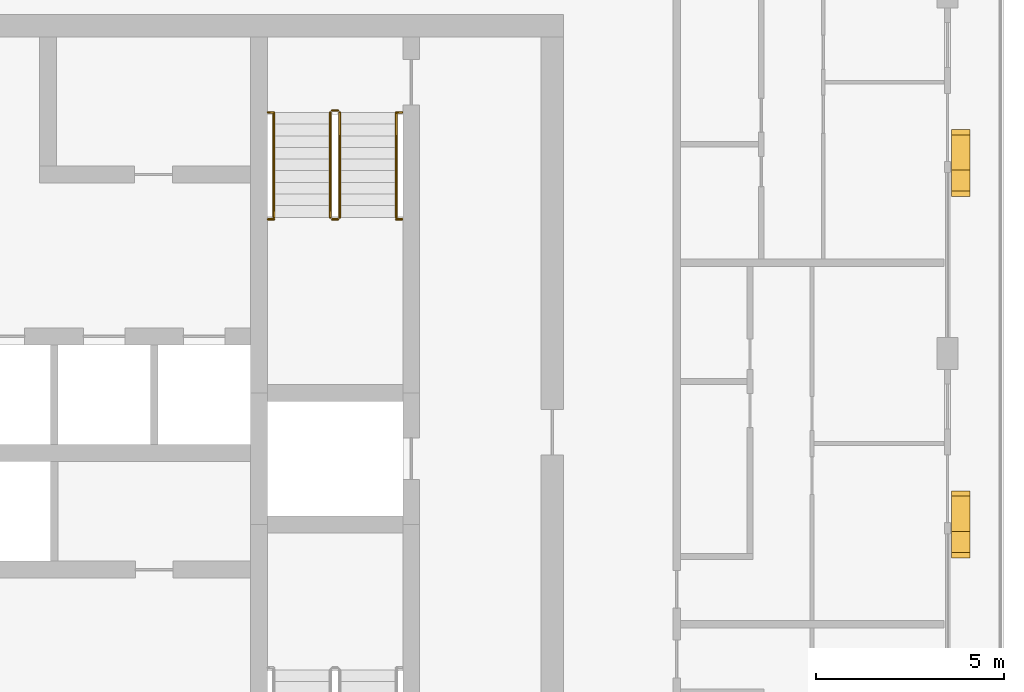
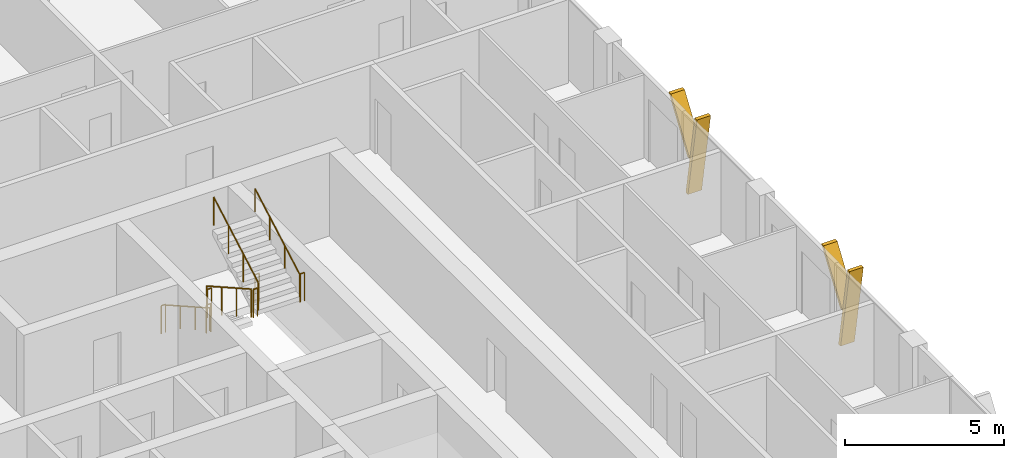
# One storey, part 20 of 21: 10 railings, 4 shading devices.
"""IFC4 building model written with IfcOpenShell, lengths in metres."""

import ifcopenshell
import ifcopenshell.guid

model = None  # the IFC model being written
_history = None  # IfcOwnerHistory: only IFC2X3 demands one
_inside = {}  # id of a spatial element -> (the spatial element, [elements in it])
_under = {}  # id of a project, library or spatial element -> (it, [spatial elements below it])
_declared = {}  # id of a project -> (the project, [libraries it declares])
_typed = {}  # id of a type object -> (the type object, [elements of that type])
_made_of = {}  # id of a material, layer set ... -> (it, [elements and type objects made of it])


def new_model(schema):
    """Start an empty IFC model of exactly this schema.

    Asked for "IFC4X3", IfcOpenShell would pick the latest addendum, in which some entities
    have other attributes; the version numbers below select the first issue.
    IFC2X3 requires an IfcOwnerHistory on every rooted entity: one is made here for all.
    """
    global model, _history
    if schema == "IFC4X3":
        model = ifcopenshell.file(schema_version=(4, 3, 0, 0))
    else:
        model = ifcopenshell.file(schema=schema)
    _inside.clear()
    _under.clear()
    _declared.clear()
    _typed.clear()
    _made_of.clear()
    _history = None
    if model.schema == "IFC2X3":
        org = make("IfcOrganization", Name="unknown")
        user = make(
            "IfcPersonAndOrganization",
            ThePerson=make("IfcPerson", FamilyName="unknown"),
            TheOrganization=org,
        )
        app = make(
            "IfcApplication",
            ApplicationDeveloper=org,
            Version="unknown",
            ApplicationFullName="unknown",
            ApplicationIdentifier="unknown",
        )
        _history = make(
            "IfcOwnerHistory",
            OwningUser=user,
            OwningApplication=app,
            ChangeAction="ADDED",
            CreationDate=0,
        )
    return model


def make(cls, **values):
    """One entity of the class cls with the attributes given. An attribute that is None is left unset."""
    return model.create_entity(
        cls, **{name: value for name, value in values.items() if value is not None}
    )


def rooted(cls, **values):
    """An entity with a GlobalId (a new one), such as an element, a storey or a relation."""
    return make(cls, GlobalId=ifcopenshell.guid.new(), OwnerHistory=_history, **values)


def si_unit(unit_type, name, prefix=None):
    """IfcSIUnit, for example si_unit("LENGTHUNIT", "METRE", prefix="MILLI")."""
    return make("IfcSIUnit", UnitType=unit_type, Prefix=prefix, Name=name)


def assignment(units):
    """IfcUnitAssignment: the units of a project."""
    return None if units is None else make("IfcUnitAssignment", Units=units)


def point(xyz):
    """IfcCartesianPoint."""
    return None if xyz is None else make("IfcCartesianPoint", Coordinates=xyz)


def direction(xyz):
    """IfcDirection."""
    return None if xyz is None else make("IfcDirection", DirectionRatios=xyz)


def frame(location, z_axis=None, x_axis=None):
    """IfcAxis2Placement3D, a coordinate frame: its origin and axes. An axis left out is left unset."""
    return make(
        "IfcAxis2Placement3D",
        Location=point(location),
        Axis=direction(z_axis),
        RefDirection=direction(x_axis),
    )


def frame_2d(location, x_axis=None):
    """IfcAxis2Placement2D, a coordinate frame in the plane: its origin and x axis."""
    return make(
        "IfcAxis2Placement2D", Location=point(location), RefDirection=direction(x_axis)
    )


def origin():
    """The frame at (0, 0, 0) with its axes left unset."""
    return frame((0.0, 0.0, 0.0))


def origin_2d():
    """The frame at (0, 0) in the plane with its x axis left unset."""
    return frame_2d((0.0, 0.0))


def place(relative_to, where):
    """IfcLocalPlacement: puts the frame where relative to a parent placement (None: the world)."""
    return make(
        "IfcLocalPlacement", PlacementRelTo=relative_to, RelativePlacement=where
    )


def context(
    kind, dimensions, precision=None, world=None, true_north=None, identifier=None
):
    """IfcGeometricRepresentationContext, for example the 3D "Model" context."""
    return make(
        "IfcGeometricRepresentationContext",
        ContextIdentifier=identifier,
        ContextType=kind,
        CoordinateSpaceDimension=dimensions,
        Precision=precision,
        WorldCoordinateSystem=world,
        TrueNorth=true_north,
    )


def subcontext(parent, identifier, kind, view, scale=None):
    """IfcGeometricRepresentationSubContext, for example "Body" below "Model"."""
    return make(
        "IfcGeometricRepresentationSubContext",
        ContextIdentifier=identifier,
        ContextType=kind,
        ParentContext=parent,
        TargetScale=scale,
        TargetView=view,
    )


def project(units=None, contexts=None):
    """IfcProject with its units and contexts."""
    return rooted(
        "IfcProject",
        Name="project",
        RepresentationContexts=contexts,
        UnitsInContext=assignment(units),
    )


def spatial(cls, under=None, at=None, **own):
    """A site, building, storey or space (cls), placed at a placement, below another one or the project."""
    s = rooted(cls, ObjectPlacement=at, **own)
    if under is not None:
        _under.setdefault(under.id(), (under, []))[1].append(s)
    return s


def polyline(points):
    """IfcPolyline through the points."""
    return make("IfcPolyline", Points=[point(p) for p in points])


def profile(cls, at=None, kind="AREA", **sizes):
    """A parametric profile (cls). Its sizes go by their IFC names, for example OverallWidth=200.0."""
    return make(cls, ProfileType=kind, Position=at, **sizes)


def circle(**sizes):
    """IfcCircleProfileDef."""
    return profile("IfcCircleProfileDef", **sizes)


def outline(outer, holes=None, kind="AREA"):
    """IfcArbitraryClosedProfileDef: a profile drawn as a closed curve; with holes, ...WithVoids."""
    if holes is None:
        return make("IfcArbitraryClosedProfileDef", ProfileType=kind, OuterCurve=outer)
    return make(
        "IfcArbitraryProfileDefWithVoids",
        ProfileType=kind,
        OuterCurve=outer,
        InnerCurves=holes,
    )


def extrude(swept, where, along, depth):
    """IfcExtrudedAreaSolid: the profile swept, set in the frame where, extruded along a direction by depth."""
    return make(
        "IfcExtrudedAreaSolid",
        SweptArea=swept,
        Position=where,
        ExtrudedDirection=direction(along),
        Depth=depth,
    )


def shape(context_of_items, identifier, shape_type, items):
    """IfcShapeRepresentation: the items that make up one representation, for example the "Body"."""
    return make(
        "IfcShapeRepresentation",
        ContextOfItems=context_of_items,
        RepresentationIdentifier=identifier,
        RepresentationType=shape_type,
        Items=items,
    )


def material(Name=None, Category=None):
    """IfcMaterial."""
    return make("IfcMaterial", Name=Name, Category=Category)


def made_of(thing, what):
    """Note that an element or type object is made of a material, layer set ...; save() writes the relation."""
    if what is not None:
        _made_of.setdefault(what.id(), (what, []))[1].append(thing)
    return thing


def type_object(cls, material=None, **own):
    """A type object (cls), such as IfcWallType, which elements share."""
    return made_of(rooted(cls, **own), material)


def element(
    cls,
    number,
    at=None,
    inside=None,
    cuts=None,
    type_object=None,
    material=None,
    context=None,
    identifier="Body",
    shape_type=None,
    held_by="IfcProductDefinitionShape",
    body=None,
    shapes=None,
    **own,
):
    """One element of the class cls, such as IfcWall. Its Tag is "e" and its number.

    at: its placement. inside: the storey or other place that contains it. cuts: it is an
    opening in that element (IfcRelVoidsElement). A single representation is given by context,
    identifier, shape_type and body (its items); several are given by shapes. held_by: the class
    of the entity that holds the representations. save() writes the other relations.
    """
    e = rooted(cls, Tag="e%d" % number, ObjectPlacement=at, **own)
    if body is not None:
        shapes = [shape(context, identifier, shape_type, body)]
    if shapes is not None:
        e.Representation = make(held_by, Representations=shapes)
    if inside is not None:
        _inside.setdefault(inside.id(), (inside, []))[1].append(e)
    if cuts is not None:
        rooted(
            "IfcRelVoidsElement", RelatingBuildingElement=cuts, RelatedOpeningElement=e
        )
    if type_object is not None:
        _typed.setdefault(type_object.id(), (type_object, []))[1].append(e)
    return made_of(e, material)


def aggregate(whole, parts):
    """IfcRelAggregates: a whole, such as a stair, and the parts it consists of."""
    return rooted("IfcRelAggregates", RelatingObject=whole, RelatedObjects=parts)


def save(model, path):
    """Write the relations noted so far, then the file.

    IfcRelAggregates (storeys below a building ...), IfcRelContainedInSpatialStructure (elements
    in a storey), IfcRelDefinesByType, IfcRelAssociatesMaterial and IfcRelDeclares: one each for
    every whole, place, type object, material and project.
    """
    for whole, parts in _under.values():
        aggregate(whole, parts)
    for where, things in _inside.values():
        rooted(
            "IfcRelContainedInSpatialStructure",
            RelatedElements=things,
            RelatingStructure=where,
        )
    for kind, things in _typed.values():
        rooted("IfcRelDefinesByType", RelatedObjects=things, RelatingType=kind)
    for what, things in _made_of.values():
        rooted("IfcRelAssociatesMaterial", RelatedObjects=things, RelatingMaterial=what)
    for by, libraries in _declared.values():
        rooted("IfcRelDeclares", RelatingContext=by, RelatedDefinitions=libraries)
    model.write(path)


model = new_model("IFC4")

# Units and contexts
model_context = context("Model", 3, precision=1e-05, world=origin(), true_north=direction((0.0, 1.0)))
body_context = subcontext(model_context, "Body", "Model", "MODEL_VIEW")
ifc_project = project(units=[si_unit("LENGTHUNIT", "METRE"), si_unit("AREAUNIT", "SQUARE_METRE"), si_unit("VOLUMEUNIT", "CUBIC_METRE"), si_unit("PLANEANGLEUNIT", "RADIAN"), si_unit("MASSUNIT", "GRAM", prefix="KILO")], contexts=[model_context])

# Site, building, storey
site_placement = place(None, origin())
site = spatial("IfcSite", under=ifc_project, at=site_placement, CompositionType="ELEMENT")
building_placement = place(site_placement, origin())
building = spatial("IfcBuilding", under=site, at=building_placement, Name="Madar Terraces", CompositionType="ELEMENT")
storey_placement = place(building_placement, frame((0.0, 0.0, 252.699951171875)))
storey = spatial("IfcBuildingStorey", under=building, at=storey_placement, Name="L66", CompositionType="ELEMENT", Elevation=252.699951171875)

# Shading devices
ifc_material_1 = material(Name="Aluminium, black anodised", Category="aluminium")
shading_device_type = type_object("IfcShadingDeviceType", Name="Facade fin blade 140 x 500", PredefinedType="USERDEFINED", material=ifc_material_1)
shading_device_1_placement = place(storey_placement, frame((57.949951171875, 23.929931640625, 0.0), z_axis=(0.0, 0.0, 1.0), x_axis=(0.0, 1.0, 0.0)))
element("IfcShadingDevice", 1, at=shading_device_1_placement, inside=storey, type_object=shading_device_type, Name="FIN L66 E2", ObjectType="FIN", PredefinedType="USERDEFINED", context=body_context, shape_type="SweptSolid", body=[
    extrude(outline(polyline([(0.0, 0.0), (0.14013671875, 0.0), (-0.42431640625, 3.199951171875), (-0.564208984375, 3.199951171875), (0.0, 0.0)])), frame((0.0, 0.25, 0.0), z_axis=(0.0, -1.0, 0.0), x_axis=(1.0, 0.0, 0.0)), (0.0, 0.0, 1.0), 0.5),
])
shading_device_2_placement = place(storey_placement, frame((57.949951171875, 23.816162109375, 1.43994140625), z_axis=(0.0, 0.0, 1.0), x_axis=(0.0, 1.0, 0.0)))
element("IfcShadingDevice", 2, at=shading_device_2_placement, inside=storey, type_object=shading_device_type, Name="FIN L66 E2 branch", ObjectType="FIN", PredefinedType="USERDEFINED", context=body_context, shape_type="SweptSolid", body=[
    extrude(outline(polyline([(0.0, 0.0), (0.139892578125, 0.0), (1.32958984375, 1.760009765625), (1.189697265625, 1.760009765625), (0.0, 0.0)])), frame((0.0, 0.25, 0.0), z_axis=(0.0, -1.0, 0.0), x_axis=(1.0, 0.0, 0.0)), (0.0, 0.0, 1.0), 0.5),
])
shading_device_3_placement = place(storey_placement, frame((57.949951171875, 33.530029296875, 0.0), z_axis=(0.0, 0.0, 1.0), x_axis=(0.0, 1.0, 0.0)))
element("IfcShadingDevice", 3, at=shading_device_3_placement, inside=storey, type_object=shading_device_type, Name="FIN L66 E3", ObjectType="FIN", PredefinedType="USERDEFINED", context=body_context, shape_type="SweptSolid", body=[
    extrude(outline(polyline([(0.0, 0.0), (0.139892578125, 0.0), (-0.42431640625, 3.199951171875), (-0.564208984375, 3.199951171875), (0.0, 0.0)])), frame((0.0, 0.25, 0.0), z_axis=(0.0, -1.0, 0.0), x_axis=(1.0, 0.0, 0.0)), (0.0, 0.0, 1.0), 0.5),
])
shading_device_4_placement = place(storey_placement, frame((57.949951171875, 33.416015625, 1.43994140625), z_axis=(0.0, 0.0, 1.0), x_axis=(0.0, 1.0, 0.0)))
element("IfcShadingDevice", 4, at=shading_device_4_placement, inside=storey, type_object=shading_device_type, Name="FIN L66 E3 branch", ObjectType="FIN", PredefinedType="USERDEFINED", context=body_context, shape_type="SweptSolid", body=[
    extrude(outline(polyline([(0.0, 0.0), (0.14013671875, 0.0), (1.32958984375, 1.760009765625), (1.189697265625, 1.760009765625), (0.0, 0.0)])), frame((0.0, 0.25, 0.0), z_axis=(0.0, -1.0, 0.0), x_axis=(1.0, 0.0, 0.0)), (0.0, 0.0, 1.0), 0.5),
])

# Railings
ifc_material_2 = material(Name="Stainless steel railing", Category="steel")
railing_type_1 = type_object("IfcRailingType", Name="Stair guard 1100", PredefinedType="GUARDRAIL", material=ifc_material_2)
railing_1_placement = place(storey_placement, frame((41.199951171875, 35.199951171875, 0.175048828125)))
element("IfcRailing", 5, at=railing_1_placement, inside=storey, type_object=railing_type_1, Name="L66 ST2 stair guard 1", PredefinedType="GUARDRAIL", context=body_context, shape_type="SweptSolid", body=[
    extrude(circle(Radius=0.02392578125, at=origin_2d()), frame((0.0, 0.0, 1.076171875), z_axis=(0.0, -0.870833779661, 0.491577591232), x_axis=(1.0, 0.0, 0.0)), (0.0, 0.0, 1.0), 3.203857421875),
    extrude(circle(Radius=0.02099609375, at=origin_2d()), origin(), (0.0, 0.0, 1.0), 1.052001953125),
    extrude(circle(Radius=0.02099609375, at=origin_2d()), frame((0.0, -0.929931640625, 0.52490234375)), (0.0, 0.0, 1.0), 1.052001953125),
    extrude(circle(Radius=0.02099609375, at=origin_2d()), frame((0.0, -1.860107421875, 1.050048828125)), (0.0, 0.0, 1.0), 1.052001953125),
    extrude(circle(Radius=0.02099609375, at=origin_2d()), frame((0.0, -2.7900390625, 1.574951171875)), (0.0, 0.0, 1.0), 1.052001953125),
])
railing_2_placement = place(storey_placement, frame((41.25, 32.360107421875, 1.75)))
element("IfcRailing", 6, at=railing_2_placement, inside=storey, type_object=railing_type_1, Name="L66 ST2 stair guard 2", PredefinedType="GUARDRAIL", context=body_context, shape_type="SweptSolid", body=[
    extrude(circle(Radius=0.02392578125, at=origin_2d()), frame((0.0, 0.0, 1.076171875), z_axis=(1.0, 0.0, 0.0), x_axis=(0.0, 1.0, 0.0)), (0.0, 0.0, 1.0), 0.14990234375),
    extrude(circle(Radius=0.02099609375, at=origin_2d()), origin(), (0.0, 0.0, 1.0), 1.052001953125),
    extrude(circle(Radius=0.02099609375, at=origin_2d()), frame((0.14990234375, 0.0, 0.0)), (0.0, 0.0, 1.0), 1.052001953125),
])
railing_3_placement = place(storey_placement, frame((41.449951171875, 32.409912109375, 1.925048828125)))
element("IfcRailing", 7, at=railing_3_placement, inside=storey, type_object=railing_type_1, Name="L66 ST2 stair guard 3", PredefinedType="GUARDRAIL", context=body_context, shape_type="SweptSolid", body=[
    extrude(circle(Radius=0.02392578125, at=origin_2d()), frame((0.0, 0.0, 1.076171875), z_axis=(0.0, 0.870833779661, 0.491577591232), x_axis=(-1.0, 0.0, 0.0)), (0.0, 0.0, 1.0), 3.203857421875),
    extrude(circle(Radius=0.02099609375, at=origin_2d()), origin(), (0.0, 0.0, 1.0), 1.052001953125),
    extrude(circle(Radius=0.02099609375, at=origin_2d()), frame((0.0, 0.929931640625, 0.52490234375)), (0.0, 0.0, 1.0), 1.052001953125),
    extrude(circle(Radius=0.02099609375, at=origin_2d()), frame((0.0, 1.860107421875, 1.050048828125)), (0.0, 0.0, 1.0), 1.052001953125),
    extrude(circle(Radius=0.02099609375, at=origin_2d()), frame((0.0, 2.7900390625, 1.574951171875)), (0.0, 0.0, 1.0), 1.052001953125),
])
railing_4_placement = place(storey_placement, frame((41.25, 35.25, 0.0)))
element("IfcRailing", 8, at=railing_4_placement, inside=storey, type_object=railing_type_1, Name="L66 ST2 stair guard 4", PredefinedType="GUARDRAIL", context=body_context, shape_type="SweptSolid", body=[
    extrude(circle(Radius=0.02392578125, at=origin_2d()), frame((0.0, 0.0, 1.076171875), z_axis=(1.0, 0.0, 0.0), x_axis=(0.0, 1.0, 0.0)), (0.0, 0.0, 1.0), 0.14990234375),
    extrude(circle(Radius=0.02099609375, at=origin_2d()), origin(), (0.0, 0.0, 1.0), 1.052001953125),
    extrude(circle(Radius=0.02099609375, at=origin_2d()), frame((0.14990234375, 0.0, 0.0)), (0.0, 0.0, 1.0), 1.052001953125),
])
for number, where, name in (
    (9, (39.544921875, 32.360107421875, 1.75), "L66 stair guard seat 1"),
    (10, (42.949951171875, 32.360107421875, 1.75), "L66 stair guard seat 2"),
    (11, (39.544921875, 35.199951171875, 0.0), "L66 stair guard floor 1"),
    (12, (42.949951171875, 35.199951171875, 0.0), "L66 stair guard floor 2"),
):
    element("IfcRailing", number, at=place(storey_placement, frame(where)), inside=storey, type_object=railing_type_1, Name=name, PredefinedType="GUARDRAIL", context=body_context, shape_type="SweptSolid", body=[
        extrude(circle(Radius=0.02392578125, at=origin_2d()), frame((0.0, 0.0, 1.076171875), z_axis=(1.0, 0.0, 0.0), x_axis=(0.0, 1.0, 0.0)), (0.0, 0.0, 1.0), 0.155029296875),
        extrude(circle(Radius=0.02099609375, at=origin_2d()), origin(), (0.0, 0.0, 1.0), 1.052001953125),
        extrude(circle(Radius=0.02099609375, at=origin_2d()), frame((0.155029296875, 0.0, 0.0)), (0.0, 0.0, 1.0), 1.052001953125),
    ])
ifc_material_3 = material(Name="Stainless steel railing", Category="steel")
railing_type_2 = type_object("IfcRailingType", Name="Stair handrail 900", PredefinedType="HANDRAIL", material=ifc_material_3)
railing_5_placement = place(storey_placement, frame((39.699951171875, 35.199951171875, 0.175048828125)))
element("IfcRailing", 13, at=railing_5_placement, inside=storey, type_object=railing_type_2, Name="L66 ST2 stair handrail 1", PredefinedType="HANDRAIL", context=body_context, shape_type="SweptSolid", body=[
    extrude(circle(Radius=0.02392578125, at=origin_2d()), frame((0.0, 0.0, 0.8759765625), z_axis=(0.0, -0.870833779661, 0.491577591232), x_axis=(1.0, 0.0, 0.0)), (0.0, 0.0, 1.0), 3.203857421875),
    extrude(circle(Radius=0.02099609375, at=origin_2d()), origin(), (0.0, 0.0, 1.0), 0.851806640625),
    extrude(circle(Radius=0.02099609375, at=origin_2d()), frame((0.0, -0.929931640625, 0.52490234375)), (0.0, 0.0, 1.0), 0.851806640625),
    extrude(circle(Radius=0.02099609375, at=origin_2d()), frame((0.0, -1.860107421875, 1.050048828125)), (0.0, 0.0, 1.0), 0.851806640625),
    extrude(circle(Radius=0.02099609375, at=origin_2d()), frame((0.0, -2.7900390625, 1.574951171875)), (0.0, 0.0, 1.0), 0.851806640625),
])
railing_6_placement = place(storey_placement, frame((42.949951171875, 32.409912109375, 1.925048828125)))
element("IfcRailing", 14, at=railing_6_placement, inside=storey, type_object=railing_type_2, Name="L66 ST2 stair handrail 2", PredefinedType="HANDRAIL", context=body_context, shape_type="SweptSolid", body=[
    extrude(circle(Radius=0.02392578125, at=origin_2d()), frame((0.0, 0.0, 0.8759765625), z_axis=(0.0, 0.870833779661, 0.491577591232), x_axis=(-1.0, 0.0, 0.0)), (0.0, 0.0, 1.0), 3.203857421875),
    extrude(circle(Radius=0.02099609375, at=origin_2d()), origin(), (0.0, 0.0, 1.0), 0.851806640625),
    extrude(circle(Radius=0.02099609375, at=origin_2d()), frame((0.0, 0.929931640625, 0.52490234375)), (0.0, 0.0, 1.0), 0.851806640625),
    extrude(circle(Radius=0.02099609375, at=origin_2d()), frame((0.0, 1.860107421875, 1.050048828125)), (0.0, 0.0, 1.0), 0.851806640625),
    extrude(circle(Radius=0.02099609375, at=origin_2d()), frame((0.0, 2.7900390625, 1.574951171875)), (0.0, 0.0, 1.0), 0.851806640625),
])

save(model, "model.ifc")
